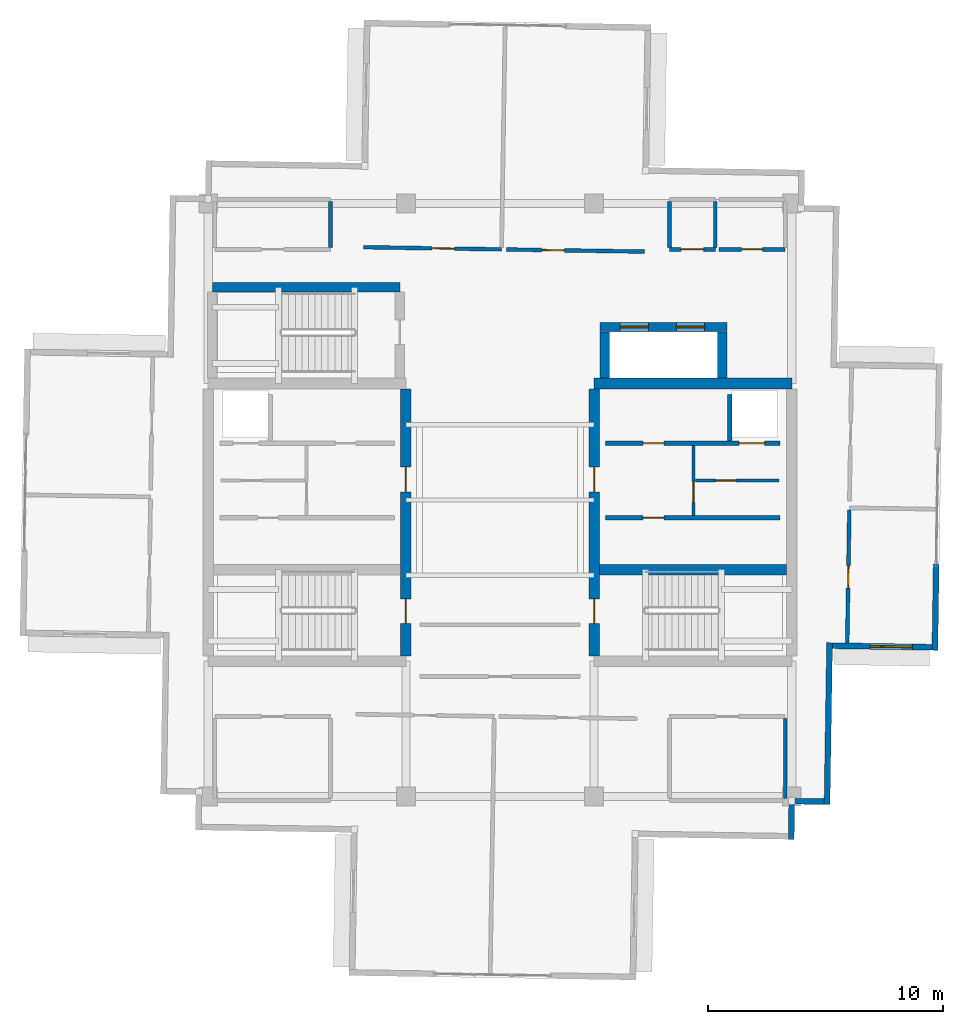
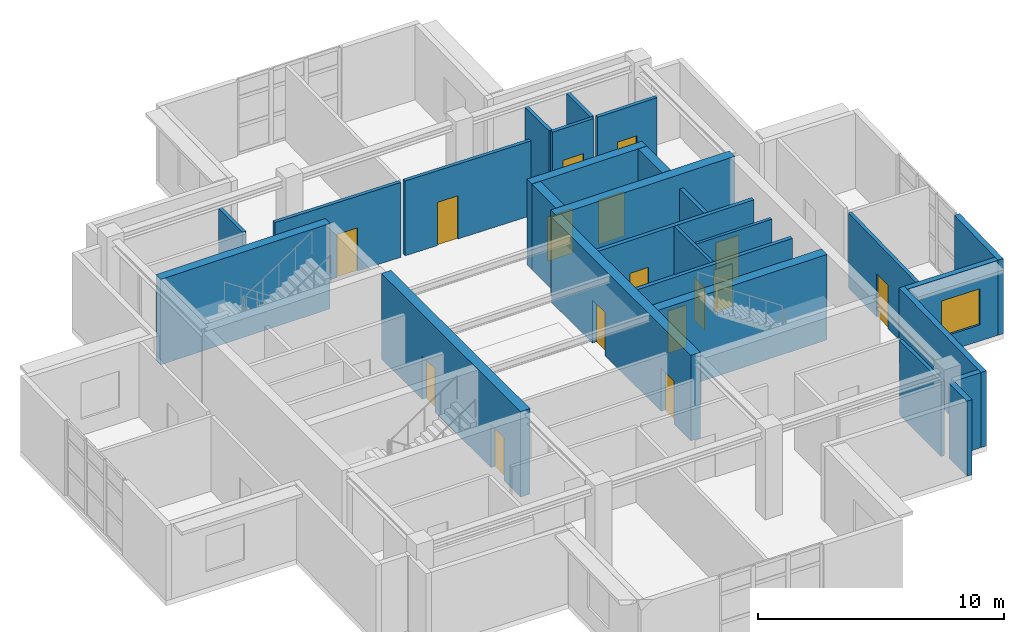
# One storey, part 11 of 15: 27 walls, 16 doors, 1 window, 17 openings.
"""IFC4 building model written with IfcOpenShell, lengths in metres."""

from ifc_helpers import new_model, si_unit, direction, frame, frame_2d, origin, place, context, subcontext, project, spatial, rectangle, extrude, material, layer, layer_set, type_object, element, fill, save


model = new_model("IFC4")

# Units and contexts
model_context = context("Model", 3, precision=1e-05, world=origin(), true_north=direction((0.0, 1.0)))
body_context = subcontext(model_context, "Body", "Model", "MODEL_VIEW")
ifc_project = project(units=[si_unit("LENGTHUNIT", "METRE"), si_unit("AREAUNIT", "SQUARE_METRE"), si_unit("VOLUMEUNIT", "CUBIC_METRE"), si_unit("PLANEANGLEUNIT", "RADIAN"), si_unit("MASSUNIT", "GRAM", prefix="KILO")], contexts=[model_context])

# Site, building, storey
site_placement = place(None, origin())
site = spatial("IfcSite", under=ifc_project, at=site_placement, CompositionType="ELEMENT")
building_placement = place(site_placement, origin())
building = spatial("IfcBuilding", under=site, at=building_placement, Name="Qingluan Cross Belvedere", CompositionType="ELEMENT")
storey_placement = place(building_placement, frame((0.0, 0.0, 312.89990234375)))
storey = spatial("IfcBuildingStorey", under=building, at=storey_placement, Name="L77", CompositionType="ELEMENT", Elevation=312.89990234375)

# Wall, openings, doors
ifc_material_1 = material(Name="Concrete C50", Category="concrete")
ifc_layer_1 = layer(ifc_material_1, 0.449951171875, Name="CoreShearWall_450")
ifc_layer_set_1 = layer_set([ifc_layer_1], Name="Concrete C50")
wall_type_1 = type_object("IfcWallType", Name="CoreShearWall_450", PredefinedType="SHEAR", material=ifc_layer_set_1)
wall_1_placement = place(storey_placement, frame((-4.0, -6.6201171875, 0.0), z_axis=(0.0, 0.0, 1.0), x_axis=(0.0, 1.0, 0.0)))
wall_1 = element("IfcWall", 1, at=wall_1_placement, inside=storey, type_object=wall_type_1, Name="Split core W shear wall L77-E", PredefinedType="SHEAR", context=body_context, shape_type="SweptSolid", body=[
    extrude(rectangle(XDim=11.340087890625, YDim=0.449951171875, at=frame_2d((5.669921875, 0.0))), origin(), (0.0, 0.0, 1.0), 4.25),
])
opening_1_placement = place(wall_1_placement, frame((1.3701171875, 0.0, 0.0)))
opening_1 = element("IfcOpeningElement", 2, at=opening_1_placement, cuts=wall_1, Name="Opening FD-B11", PredefinedType="OPENING", context=body_context, shape_type="SweptSolid", body=[
    extrude(rectangle(XDim=1.050048828125, YDim=2.14990234375, at=frame_2d((0.52490234375, 1.074951171875))), frame((0.0, 0.23486328125, 0.0), z_axis=(0.0, -1.0, 0.0), x_axis=(1.0, 0.0, 0.0)), (0.0, 0.0, 1.0), 0.469970703125),
])
opening_2_placement = place(wall_1_placement, frame((6.969970703125, 0.0, 0.0)))
opening_2 = element("IfcOpeningElement", 3, at=opening_2_placement, cuts=wall_1, Name="Opening FD-B11", PredefinedType="OPENING", context=body_context, shape_type="SweptSolid", body=[
    extrude(rectangle(XDim=1.050048828125, YDim=2.14990234375, at=frame_2d((0.52490234375, 1.074951171875))), frame((0.0, 0.23486328125, 0.0), z_axis=(0.0, -1.0, 0.0), x_axis=(1.0, 0.0, 0.0)), (0.0, 0.0, 1.0), 0.469970703125),
])
ifc_material_2 = material(Name="Steel Class B smoke-seal fire door", Category="steel")
door_type_1 = type_object("IfcDoorType", Name="StairLobbyFireDoor_FDB", OperationType="NOTDEFINED", PredefinedType="DOOR", material=ifc_material_2)
door_1_placement = place(opening_1_placement, origin())
door_1 = element("IfcDoor", 4, at=door_1_placement, inside=storey, type_object=door_type_1, Name="Smoke-proof stair ST1 fire door L77", OperationType="SINGLE_SWING_LEFT", OverallHeight=2.14990234375, OverallWidth=1.050048828125, PredefinedType="DOOR", context=body_context, shape_type="SweptSolid", body=[
    extrude(rectangle(XDim=1.050048828125, YDim=2.14990234375, at=frame_2d((0.52490234375, 1.074951171875))), frame((0.0, 0.02490234375, 0.0), z_axis=(0.0, -1.0, 0.0), x_axis=(1.0, 0.0, 0.0)), (0.0, 0.0, 1.0), 0.050048828125),
])
fill(opening_1, door_1)
door_2_placement = place(opening_2_placement, origin())
door_2 = element("IfcDoor", 5, at=door_2_placement, inside=storey, type_object=door_type_1, Name="Firefighting lobby West fire door L77", OperationType="SINGLE_SWING_LEFT", OverallHeight=2.14990234375, OverallWidth=1.050048828125, PredefinedType="DOOR", context=body_context, shape_type="SweptSolid", body=[
    extrude(rectangle(XDim=1.050048828125, YDim=2.14990234375, at=frame_2d((0.52490234375, 1.074951171875))), frame((0.0, 0.02490234375, 0.0), z_axis=(0.0, -1.0, 0.0), x_axis=(1.0, 0.0, 0.0)), (0.0, 0.0, 1.0), 0.050048828125),
])
fill(opening_2, door_2)

# Wall
wall_2_placement = place(storey_placement, frame((4.0, 4.949951171875, 0.0), z_axis=(0.0, 0.0, 1.0), x_axis=(1.0, 0.0, 0.0)))
element("IfcWall", 6, at=wall_2_placement, inside=storey, type_object=wall_type_1, Name="Split core E shear wall L77-N", PredefinedType="SHEAR", context=body_context, shape_type="SweptSolid", body=[
    extrude(rectangle(XDim=8.39990234375, YDim=0.449951171875, at=frame_2d((4.199951171875, 0.0))), origin(), (0.0, 0.0, 1.0), 4.25),
])

# Wall, openings, doors
wall_3_placement = place(storey_placement, frame((4.0, -6.6201171875, 0.0), z_axis=(0.0, 0.0, 1.0), x_axis=(0.0, 1.0, 0.0)))
wall_3 = element("IfcWall", 7, at=wall_3_placement, inside=storey, type_object=wall_type_1, Name="Split core E shear wall L77-W", PredefinedType="SHEAR", context=body_context, shape_type="SweptSolid", body=[
    extrude(rectangle(XDim=11.340087890625, YDim=0.449951171875, at=frame_2d((5.669921875, 0.0))), origin(), (0.0, 0.0, 1.0), 4.25),
])
opening_3_placement = place(wall_3_placement, frame((1.3701171875, 0.0, 0.0)))
opening_3 = element("IfcOpeningElement", 8, at=opening_3_placement, cuts=wall_3, Name="Opening FD-B11", PredefinedType="OPENING", context=body_context, shape_type="SweptSolid", body=[
    extrude(rectangle(XDim=1.050048828125, YDim=2.14990234375, at=frame_2d((0.52490234375, 1.074951171875))), frame((0.0, 0.23486328125, 0.0), z_axis=(0.0, -1.0, 0.0), x_axis=(1.0, 0.0, 0.0)), (0.0, 0.0, 1.0), 0.469970703125),
])
opening_4_placement = place(wall_3_placement, frame((6.969970703125, 0.0, 0.0)))
opening_4 = element("IfcOpeningElement", 9, at=opening_4_placement, cuts=wall_3, Name="Opening FD-B11", PredefinedType="OPENING", context=body_context, shape_type="SweptSolid", body=[
    extrude(rectangle(XDim=1.050048828125, YDim=2.14990234375, at=frame_2d((0.52490234375, 1.074951171875))), frame((0.0, 0.23486328125, 0.0), z_axis=(0.0, -1.0, 0.0), x_axis=(1.0, 0.0, 0.0)), (0.0, 0.0, 1.0), 0.469970703125),
])
door_3_placement = place(opening_3_placement, origin())
door_3 = element("IfcDoor", 10, at=door_3_placement, inside=storey, type_object=door_type_1, Name="Smoke-proof stair ST2 fire door L77", OperationType="SINGLE_SWING_RIGHT", OverallHeight=2.14990234375, OverallWidth=1.050048828125, PredefinedType="DOOR", context=body_context, shape_type="SweptSolid", body=[
    extrude(rectangle(XDim=1.050048828125, YDim=2.14990234375, at=frame_2d((0.52490234375, 1.074951171875))), frame((0.0, 0.02490234375, 0.0), z_axis=(0.0, -1.0, 0.0), x_axis=(1.0, 0.0, 0.0)), (0.0, 0.0, 1.0), 0.050048828125),
])
fill(opening_3, door_3)
door_4_placement = place(opening_4_placement, origin())
door_4 = element("IfcDoor", 11, at=door_4_placement, inside=storey, type_object=door_type_1, Name="Firefighting lobby East fire door L77", OperationType="SINGLE_SWING_RIGHT", OverallHeight=2.14990234375, OverallWidth=1.050048828125, PredefinedType="DOOR", context=body_context, shape_type="SweptSolid", body=[
    extrude(rectangle(XDim=1.050048828125, YDim=2.14990234375, at=frame_2d((0.52490234375, 1.074951171875))), frame((0.0, 0.02490234375, 0.0), z_axis=(0.0, -1.0, 0.0), x_axis=(1.0, 0.0, 0.0)), (0.0, 0.0, 1.0), 0.050048828125),
])
fill(opening_4, door_4)

# Walls
wall_4_placement = place(storey_placement, frame((4.22998046875, -2.9599609375, 0.0), z_axis=(0.0, 0.0, 1.0), x_axis=(1.0, 0.0, 0.0)))
element("IfcWall", 12, at=wall_4_placement, inside=storey, type_object=wall_type_1, Name="Split core E shear wall L77-M", PredefinedType="SHEAR", context=body_context, shape_type="SweptSolid", body=[
    extrude(rectangle(XDim=7.93994140625, YDim=0.449951171875, at=frame_2d((3.969970703125, 0.0))), origin(), (0.0, 0.0, 1.0), 4.25),
])
wall_5_placement = place(storey_placement, frame((-12.219970703125, 9.0400390625, 0.0), z_axis=(0.0, 0.0, 1.0), x_axis=(1.0, 0.0, 0.0)))
element("IfcWall", 13, at=wall_5_placement, inside=storey, type_object=wall_type_1, Name="Stair ST3 structural wall N L77", PredefinedType="SHEAR", context=body_context, shape_type="SweptSolid", body=[
    extrude(rectangle(XDim=7.9599609375, YDim=0.39990234375, at=frame_2d((3.97998046875, 0.0))), origin(), (0.0, 0.0, 1.0), 4.25),
])
wall_6_placement = place(storey_placement, frame((4.449951171875, 5.179931640625, 0.0), z_axis=(0.0, 0.0, 1.0), x_axis=(0.0, 1.0, 0.0)))
element("IfcWall", 14, at=wall_6_placement, inside=storey, type_object=wall_type_1, Name="Express shuttle core wall L77-W", PredefinedType="SHEAR", context=body_context, shape_type="SweptSolid", body=[
    extrude(rectangle(XDim=1.9599609375, YDim=0.39990234375, at=frame_2d((0.97998046875, 0.0))), origin(), (0.0, 0.0, 1.0), 4.25),
])

# Wall, openings, doors
wall_7_placement = place(storey_placement, frame((4.25, 7.35009765625, 0.0), z_axis=(0.0, 0.0, 1.0), x_axis=(1.0, 0.0, 0.0)))
wall_7 = element("IfcWall", 15, at=wall_7_placement, inside=storey, type_object=wall_type_1, Name="Express shuttle core wall L77-N", PredefinedType="SHEAR", context=body_context, shape_type="SweptSolid", body=[
    extrude(rectangle(XDim=5.39990234375, YDim=0.39990234375, at=frame_2d((2.699951171875, 0.0))), origin(), (0.0, 0.0, 1.0), 4.25),
])
opening_5_placement = place(wall_7_placement, frame((0.85009765625, 0.0, 0.0)))
opening_5 = element("IfcOpeningElement", 16, at=opening_5_placement, cuts=wall_7, Name="Opening LD-12", PredefinedType="OPENING", context=body_context, shape_type="SweptSolid", body=[
    extrude(rectangle(XDim=1.199951171875, YDim=2.199951171875, at=frame_2d((0.60009765625, 1.10009765625))), frame((0.0, 0.2099609375, 0.0), z_axis=(0.0, -1.0, 0.0), x_axis=(1.0, 0.0, 0.0)), (0.0, 0.0, 1.0), 0.419921875),
])
opening_6_placement = place(wall_7_placement, frame((3.25, 0.0, 0.0)))
opening_6 = element("IfcOpeningElement", 17, at=opening_6_placement, cuts=wall_7, Name="Opening LD-12", PredefinedType="OPENING", context=body_context, shape_type="SweptSolid", body=[
    extrude(rectangle(XDim=1.199951171875, YDim=2.199951171875, at=frame_2d((0.60009765625, 1.10009765625))), frame((0.0, 0.2099609375, 0.0), z_axis=(0.0, -1.0, 0.0), x_axis=(1.0, 0.0, 0.0)), (0.0, 0.0, 1.0), 0.419921875),
])
ifc_material_3 = material(Name="Bronze-anodised stainless steel lift landing door", Category="steel")
door_type_2 = type_object("IfcDoorType", Name="ExpressLiftSlidingDoor_1200", OperationType="DOUBLE_DOOR_SLIDING", PredefinedType="DOOR", material=ifc_material_3)
door_5_placement = place(opening_5_placement, origin())
door_5 = element("IfcDoor", 18, at=door_5_placement, inside=storey, type_object=door_type_2, Name="Express shuttle landing sliding door LPX1 L77", OperationType="DOUBLE_DOOR_SLIDING", OverallHeight=2.199951171875, OverallWidth=1.199951171875, PredefinedType="DOOR", context=body_context, shape_type="SweptSolid", body=[
    extrude(rectangle(XDim=1.199951171875, YDim=2.199951171875, at=frame_2d((0.60009765625, 1.10009765625))), frame((0.0, 0.02490234375, 0.0), z_axis=(0.0, -1.0, 0.0), x_axis=(1.0, 0.0, 0.0)), (0.0, 0.0, 1.0), 0.050048828125),
])
fill(opening_5, door_5)
door_6_placement = place(opening_6_placement, origin())
door_6 = element("IfcDoor", 19, at=door_6_placement, inside=storey, type_object=door_type_2, Name="Express shuttle landing sliding door LPX2 L77", OperationType="DOUBLE_DOOR_SLIDING", OverallHeight=2.199951171875, OverallWidth=1.199951171875, PredefinedType="DOOR", context=body_context, shape_type="SweptSolid", body=[
    extrude(rectangle(XDim=1.199951171875, YDim=2.199951171875, at=frame_2d((0.60009765625, 1.10009765625))), frame((0.0, 0.02490234375, 0.0), z_axis=(0.0, -1.0, 0.0), x_axis=(1.0, 0.0, 0.0)), (0.0, 0.0, 1.0), 0.050048828125),
])
fill(opening_6, door_6)

# Wall
wall_8_placement = place(storey_placement, frame((9.449951171875, 5.179931640625, 0.0), z_axis=(0.0, 0.0, 1.0), x_axis=(0.0, 1.0, 0.0)))
element("IfcWall", 20, at=wall_8_placement, inside=storey, type_object=wall_type_1, Name="Express shuttle core wall L77-E", PredefinedType="SHEAR", context=body_context, shape_type="SweptSolid", body=[
    extrude(rectangle(XDim=1.9599609375, YDim=0.39990234375, at=frame_2d((0.97998046875, 0.0))), origin(), (0.0, 0.0, 1.0), 4.25),
])

# Wall, opening, door
ifc_material_4 = material(Name="Gypsum plasterboard on steel stud acoustic partition", Category="steel")
ifc_layer_2 = layer(ifc_material_4, 0.159912109375, Name="CorridorPartition_160")
ifc_layer_set_2 = layer_set([ifc_layer_2], Name="Gypsum plasterboard on steel stud acoustic partition")
wall_type_2 = type_object("IfcWallType", Name="CorridorPartition_160", PredefinedType="PARTITIONING", material=ifc_layer_set_2)
wall_9_placement = place(storey_placement, frame((8.298095703125, 0.830078125, 0.0), z_axis=(0.0, 0.0, 1.0), x_axis=(1.0, 0.0, 0.0)))
wall_9 = element("IfcWall", 21, at=wall_9_placement, inside=storey, type_object=wall_type_2, Name="Partition L77:e", PredefinedType="PARTITIONING", context=body_context, shape_type="SweptSolid", body=[
    extrude(rectangle(XDim=3.552001953125, YDim=0.139892578125, at=frame_2d((1.77587890625, 0.0))), origin(), (0.0, 0.0, 1.0), 3.72021484375),
])
opening_7_placement = place(wall_9_placement, frame((0.85009765625, 0.0, 0.0)))
opening_7 = element("IfcOpeningElement", 22, at=opening_7_placement, cuts=wall_9, Name="Opening FD-B10", PredefinedType="OPENING", context=body_context, shape_type="SweptSolid", body=[
    extrude(rectangle(XDim=0.8798828125, YDim=2.10009765625, at=frame_2d((0.43994140625, 1.050048828125))), frame((0.0, 0.079833984375, 0.0), z_axis=(0.0, -1.0, 0.0), x_axis=(1.0, 0.0, 0.0)), (0.0, 0.0, 1.0), 0.159912109375),
])
ifc_material_5 = material(Name="Steel Class B service fire door", Category="steel")
door_type_3 = type_object("IfcDoorType", Name="RiserServiceFireDoor_FDB", OperationType="NOTDEFINED", PredefinedType="DOOR", material=ifc_material_5)
door_7_placement = place(opening_7_placement, origin())
door_7 = element("IfcDoor", 23, at=door_7_placement, inside=storey, type_object=door_type_3, Name="Service closet inner door L77", OperationType="SINGLE_SWING_LEFT", OverallHeight=2.10009765625, OverallWidth=0.8798828125, PredefinedType="DOOR", context=body_context, shape_type="SweptSolid", body=[
    extrude(rectangle(XDim=0.8798828125, YDim=2.10009765625, at=frame_2d((0.43994140625, 1.050048828125))), frame((0.0, 0.02490234375, 0.0), z_axis=(0.0, -1.0, 0.0), x_axis=(1.0, 0.0, 0.0)), (0.0, 0.0, 1.0), 0.050048828125),
])
fill(opening_7, door_7)

wall_10_placement = place(storey_placement, frame((-5.802001953125, 10.742431640625, 0.0), z_axis=(0.0, 0.0, 1.0), x_axis=(0.999877067261, -0.015679616254, 0.0)))
wall_10 = element("IfcWall", 24, at=wall_10_placement, inside=storey, type_object=wall_type_2, Name="Partition L77:obs_n1:S", PredefinedType="PARTITIONING", context=body_context, shape_type="SweptSolid", body=[
    extrude(rectangle(XDim=5.8701171875, YDim=0.159912109375, at=frame_2d((2.93505859375, 0.0))), origin(), (0.0, 0.0, 1.0), 3.72021484375),
])
opening_8_placement = place(wall_10_placement, frame((2.905029296875, 0.0, 0.0)))
opening_8 = element("IfcOpeningElement", 25, at=opening_8_placement, cuts=wall_10, Name="Opening GD-10", PredefinedType="OPENING", context=body_context, shape_type="SweptSolid", body=[
    extrude(rectangle(XDim=0.9599609375, YDim=2.14990234375, at=frame_2d((0.47998046875, 1.074951171875))), frame((0.0, 0.08984375, 0.0), z_axis=(0.0, -1.0, 0.0), x_axis=(1.0, 0.0, 0.0)), (0.0, 0.0, 1.0), 0.179931640625),
])
ifc_material_6 = material(Name="Timber oak fire-rated acoustic guestroom door", Category="wood")
door_type_4 = type_object("IfcDoorType", Name="GuestEntryDoor_FD60", OperationType="NOTDEFINED", PredefinedType="DOOR", material=ifc_material_6)
door_8_placement = place(opening_8_placement, origin())
door_8 = element("IfcDoor", 26, at=door_8_placement, inside=storey, type_object=door_type_4, Name="North panorama observation hall W L77 door", OperationType="SINGLE_SWING_RIGHT", OverallHeight=2.14990234375, OverallWidth=0.9599609375, PredefinedType="DOOR", context=body_context, shape_type="SweptSolid", body=[
    extrude(rectangle(XDim=0.9599609375, YDim=2.14990234375, at=frame_2d((0.47998046875, 1.074951171875))), frame((0.0, 0.02490234375, 0.0), z_axis=(0.0, -1.0, 0.0), x_axis=(1.0, 0.0, 0.0)), (0.0, 0.0, 1.0), 0.050048828125),
])
fill(opening_8, door_8)

wall_11_placement = place(storey_placement, frame((0.267333984375, 10.647216796875, 0.0), z_axis=(0.0, 0.0, 1.0), x_axis=(0.999876404074, -0.01572185028, 0.0)))
wall_11 = element("IfcWall", 27, at=wall_11_placement, inside=storey, type_object=wall_type_2, Name="Partition L77:obs_n2:S", PredefinedType="PARTITIONING", context=body_context, shape_type="SweptSolid", body=[
    extrude(rectangle(XDim=5.869873046875, YDim=0.159912109375, at=frame_2d((2.93505859375, 0.0))), origin(), (0.0, 0.0, 1.0), 3.72021484375),
])
opening_9_placement = place(wall_11_placement, frame((1.5048828125, 0.0, 0.0)))
opening_9 = element("IfcOpeningElement", 28, at=opening_9_placement, cuts=wall_11, Name="Opening GD-10", PredefinedType="OPENING", context=body_context, shape_type="SweptSolid", body=[
    extrude(rectangle(XDim=0.9599609375, YDim=2.14990234375, at=frame_2d((0.47998046875, 1.074951171875))), frame((0.0, 0.08984375, 0.0), z_axis=(0.0, -1.0, 0.0), x_axis=(1.0, 0.0, 0.0)), (0.0, 0.0, 1.0), 0.179931640625),
])
door_9_placement = place(opening_9_placement, origin())
door_9 = element("IfcDoor", 29, at=door_9_placement, inside=storey, type_object=door_type_4, Name="North panorama observation hall E L77 door", OperationType="SINGLE_SWING_LEFT", OverallHeight=2.14990234375, OverallWidth=0.9599609375, PredefinedType="DOOR", context=body_context, shape_type="SweptSolid", body=[
    extrude(rectangle(XDim=0.9599609375, YDim=2.14990234375, at=frame_2d((0.47998046875, 1.074951171875))), frame((0.0, 0.02490234375, 0.0), z_axis=(0.0, -1.0, 0.0), x_axis=(1.0, 0.0, 0.0)), (0.0, 0.0, 1.0), 0.050048828125),
])
fill(opening_9, door_9)

wall_12_placement = place(storey_placement, frame((14.756591796875, -6.069580078125, 0.0), z_axis=(0.0, 0.0, 1.0), x_axis=(0.01567977253, 0.99987706481, 0.0)))
wall_12 = element("IfcWall", 30, at=wall_12_placement, inside=storey, type_object=wall_type_2, Name="Partition L77:obs_e1:W", PredefinedType="PARTITIONING", context=body_context, shape_type="SweptSolid", body=[
    extrude(rectangle(XDim=5.652099609375, YDim=0.159912109375, at=frame_2d((2.826171875, 0.0))), origin(), (0.0, 0.0, 1.0), 3.72021484375),
])
opening_10_placement = place(wall_12_placement, frame((2.322021484375, 0.0, 0.0)))
opening_10 = element("IfcOpeningElement", 31, at=opening_10_placement, cuts=wall_12, Name="Opening GD-10", PredefinedType="OPENING", context=body_context, shape_type="SweptSolid", body=[
    extrude(rectangle(XDim=0.9599609375, YDim=2.14990234375, at=frame_2d((0.47998046875, 1.074951171875))), frame((0.0, 0.08984375, 0.0), z_axis=(0.0, -1.0, 0.0), x_axis=(1.0, 0.0, 0.0)), (0.0, 0.0, 1.0), 0.179931640625),
])
door_10_placement = place(opening_10_placement, origin())
door_10 = element("IfcDoor", 32, at=door_10_placement, inside=storey, type_object=door_type_4, Name="Belvedere sky bistro S L77 door", OperationType="SINGLE_SWING_RIGHT", OverallHeight=2.14990234375, OverallWidth=0.9599609375, PredefinedType="DOOR", context=body_context, shape_type="SweptSolid", body=[
    extrude(rectangle(XDim=0.9599609375, YDim=2.14990234375, at=frame_2d((0.47998046875, 1.074951171875))), frame((0.0, 0.02490234375, 0.0), z_axis=(0.0, -1.0, 0.0), x_axis=(1.0, 0.0, 0.0)), (0.0, 0.0, 1.0), 0.050048828125),
])
fill(opening_10, door_10)

wall_13_placement = place(storey_placement, frame((7.199951171875, 10.64990234375, 0.0), z_axis=(0.0, 0.0, 1.0), x_axis=(1.0, 0.0, 0.0)))
wall_13 = element("IfcWall", 33, at=wall_13_placement, inside=storey, type_object=wall_type_2, Name="Partition L77:crown_wc:S", PredefinedType="PARTITIONING", context=body_context, shape_type="SweptSolid", body=[
    extrude(rectangle(XDim=1.949951171875, YDim=0.159912109375, at=frame_2d((0.97509765625, 0.0))), origin(), (0.0, 0.0, 1.0), 3.72021484375),
])
opening_11_placement = place(wall_13_placement, frame((0.4951171875, 0.0, 0.0)))
opening_11 = element("IfcOpeningElement", 34, at=opening_11_placement, cuts=wall_13, Name="Opening GD-10", PredefinedType="OPENING", context=body_context, shape_type="SweptSolid", body=[
    extrude(rectangle(XDim=0.9599609375, YDim=2.14990234375, at=frame_2d((0.47998046875, 1.074951171875))), frame((0.0, 0.08984375, 0.0), z_axis=(0.0, -1.0, 0.0), x_axis=(1.0, 0.0, 0.0)), (0.0, 0.0, 1.0), 0.179931640625),
])
door_11_placement = place(opening_11_placement, origin())
door_11 = element("IfcDoor", 35, at=door_11_placement, inside=storey, type_object=door_type_4, Name="Observation washrooms L77 door", OperationType="SINGLE_SWING_RIGHT", OverallHeight=2.14990234375, OverallWidth=0.9599609375, PredefinedType="DOOR", context=body_context, shape_type="SweptSolid", body=[
    extrude(rectangle(XDim=0.9599609375, YDim=2.14990234375, at=frame_2d((0.47998046875, 1.074951171875))), frame((0.0, 0.02490234375, 0.0), z_axis=(0.0, -1.0, 0.0), x_axis=(1.0, 0.0, 0.0)), (0.0, 0.0, 1.0), 0.050048828125),
])
fill(opening_11, door_11)

# Walls
for number, where, z_axis, x_axis, name in (
    (36, (7.199951171875, 10.735107421875, 0.0), (0.0, 0.0, 1.0), (0.0, 1.0, 0.0), "Partition L77:crown_wc:W"),
    (37, (9.14990234375, 10.735107421875, 0.0), (0.0, 0.0, 1.0), (0.0, 1.0, 0.0), "Partition L77:crown_wc:E"),
):
    element("IfcWall", number, at=place(storey_placement, frame(where, z_axis=z_axis, x_axis=x_axis)), inside=storey, type_object=wall_type_2, Name=name, PredefinedType="PARTITIONING", context=body_context, shape_type="SweptSolid", body=[
        extrude(rectangle(XDim=1.949951171875, YDim=0.159912109375, at=frame_2d((0.97509765625, 0.0))), origin(), (0.0, 0.0, 1.0), 3.72021484375),
    ])

# Wall, opening, door
wall_14_placement = place(storey_placement, frame((9.31005859375, 10.64990234375, 0.0), z_axis=(0.0, 0.0, 1.0), x_axis=(1.0, 0.0, 0.0)))
wall_14 = element("IfcWall", 38, at=wall_14_placement, inside=storey, type_object=wall_type_2, Name="Partition L77:crown_acc:S", PredefinedType="PARTITIONING", context=body_context, shape_type="SweptSolid", body=[
    extrude(rectangle(XDim=2.81005859375, YDim=0.159912109375, at=frame_2d((1.405029296875, 0.0))), origin(), (0.0, 0.0, 1.0), 3.72021484375),
])
opening_12_placement = place(wall_14_placement, frame((0.955078125, 0.0, 0.0)))
opening_12 = element("IfcOpeningElement", 39, at=opening_12_placement, cuts=wall_14, Name="Opening BD-90", PredefinedType="OPENING", context=body_context, shape_type="SweptSolid", body=[
    extrude(rectangle(XDim=0.89990234375, YDim=2.14990234375, at=frame_2d((0.449951171875, 1.074951171875))), frame((0.0, 0.08984375, 0.0), z_axis=(0.0, -1.0, 0.0), x_axis=(1.0, 0.0, 0.0)), (0.0, 0.0, 1.0), 0.179931640625),
])
ifc_material_7 = material(Name="Moisture-sealed timber washroom door", Category="wood")
door_type_5 = type_object("IfcDoorType", Name="AccessibleWCDoor_900", OperationType="NOTDEFINED", PredefinedType="DOOR", material=ifc_material_7)
door_12_placement = place(opening_12_placement, origin())
door_12 = element("IfcDoor", 40, at=door_12_placement, inside=storey, type_object=door_type_5, Name="Accessible toilet L77 door", OperationType="SINGLE_SWING_LEFT", OverallHeight=2.14990234375, OverallWidth=0.89990234375, PredefinedType="DOOR", context=body_context, shape_type="SweptSolid", body=[
    extrude(rectangle(XDim=0.89990234375, YDim=2.14990234375, at=frame_2d((0.449951171875, 1.074951171875))), frame((0.0, 0.02490234375, 0.0), z_axis=(0.0, -1.0, 0.0), x_axis=(1.0, 0.0, 0.0)), (0.0, 0.0, 1.0), 0.050048828125),
])
fill(opening_12, door_12)

# Walls
wall_15_placement = place(storey_placement, frame((-7.199951171875, 10.735107421875, 0.0), z_axis=(0.0, 0.0, 1.0), x_axis=(0.0, 1.0, 0.0)))
element("IfcWall", 41, at=wall_15_placement, inside=storey, type_object=wall_type_2, Name="Partition L77:crown_nw:E", PredefinedType="PARTITIONING", context=body_context, shape_type="SweptSolid", body=[
    extrude(rectangle(XDim=1.949951171875, YDim=0.159912109375, at=frame_2d((0.97509765625, 0.0))), origin(), (0.0, 0.0, 1.0), 3.72021484375),
])
wall_16_placement = place(storey_placement, frame((12.1201171875, -12.68505859375, 0.0), z_axis=(0.0, 0.0, 1.0), x_axis=(0.0, 1.0, 0.0)))
element("IfcWall", 42, at=wall_16_placement, inside=storey, type_object=wall_type_2, Name="Partition L77:crown_se:E", PredefinedType="PARTITIONING", context=body_context, shape_type="SweptSolid", body=[
    extrude(rectangle(XDim=3.400146484375, YDim=0.159912109375, at=frame_2d((1.7001953125, 0.0))), origin(), (0.0, 0.0, 1.0), 3.72021484375),
])

# Wall, opening, window
ifc_material_8 = material(Name="Precast concrete C45", Category="concrete")
ifc_layer_3 = layer(ifc_material_8, 0.25, Name="PrecastCrownWall_250")
ifc_layer_set_3 = layer_set([ifc_layer_3], Name="Precast concrete C45")
wall_type_3 = type_object("IfcWallType", Name="PrecastCrownWall_250", PredefinedType="STANDARD", material=ifc_layer_set_3)
wall_17_placement = place(storey_placement, frame((14.12939453125, -6.192626953125, 0.0), z_axis=(0.0, 0.0, 1.0), x_axis=(0.999876765821, -0.015698827078, 0.0)))
wall_17 = element("IfcWall", 43, at=wall_17_placement, inside=storey, type_object=wall_type_3, Name="Facade wall L77-EA", PredefinedType="STANDARD", context=body_context, shape_type="SweptSolid", body=[
    extrude(rectangle(XDim=4.22998046875, YDim=0.25, at=frame_2d((2.114990234375, 0.0))), origin(), (0.0, 0.0, 1.0), 3.72998046875),
])
opening_13_placement = place(wall_17_placement, frame((1.60009765625, 0.0, 0.800048828125)))
opening_13 = element("IfcOpeningElement", 44, at=opening_13_placement, cuts=wall_17, Name="Opening W-05", PredefinedType="OPENING", context=body_context, shape_type="SweptSolid", body=[
    extrude(rectangle(XDim=1.800048828125, YDim=1.800048828125, at=frame_2d((0.89990234375, 0.89990234375))), frame((0.0, 0.135009765625, 0.0), z_axis=(0.0, -1.0, 0.0), x_axis=(1.0, 0.0, 0.0)), (0.0, 0.0, 1.0), 0.27001953125),
])
ifc_material_9 = material(Name="Thermally broken triple Low-E glass in aluminium frame", Category="aluminium")
window_type = type_object("IfcWindowType", Name="CrownBelvedereWin_1800x1800", PartitioningType="SINGLE_PANEL", PredefinedType="WINDOW", material=ifc_material_9)
window_placement = place(opening_13_placement, origin())
window = element("IfcWindow", 45, at=window_placement, inside=storey, type_object=window_type, Name="Ribbon window L77-EA-1", OverallHeight=1.800048828125, OverallWidth=1.800048828125, PartitioningType="SINGLE_PANEL", PredefinedType="WINDOW", context=body_context, shape_type="SweptSolid", body=[
    extrude(rectangle(XDim=1.800048828125, YDim=1.800048828125, at=frame_2d((0.89990234375, 0.89990234375))), frame((0.0, 0.030029296875, 0.0), z_axis=(0.0, -1.0, 0.0), x_axis=(1.0, 0.0, 0.0)), (0.0, 0.0, 1.0), 0.06005859375),
])
fill(opening_13, window)

# Walls
wall_18_placement = place(storey_placement, frame((18.48193359375, -6.385986328125, 0.0), z_axis=(0.0, 0.0, 1.0), x_axis=(0.015688794617, 0.999876923288, 0.0)))
element("IfcWall", 46, at=wall_18_placement, inside=storey, type_object=wall_type_3, Name="Terrace portal jamb wall L77-E1", PredefinedType="STANDARD", context=body_context, shape_type="SweptSolid", body=[
    extrude(rectangle(XDim=3.656982421875, YDim=0.25, at=frame_2d((1.82861328125, 0.0))), origin(), (0.0, 0.0, 1.0), 3.72998046875),
])
wall_19_placement = place(storey_placement, frame((14.006591796875, -6.06591796875, 0.0), z_axis=(0.0, 0.0, 1.0), x_axis=(-0.01572065784, -0.999876422823, 0.0)))
element("IfcWall", 47, at=wall_19_placement, inside=storey, type_object=wall_type_3, Name="Corner wall L77-SE1", PredefinedType="STANDARD", context=body_context, shape_type="SweptSolid", body=[
    extrude(rectangle(XDim=6.879638671875, YDim=0.25, at=frame_2d((3.43994140625, 0.0))), origin(), (0.0, 0.0, 1.0), 3.72998046875),
])
wall_20_placement = place(storey_placement, frame((13.775390625, -12.818115234375, 0.0), z_axis=(0.0, 0.0, 1.0), x_axis=(-0.999874882342, 0.0158183331, 0.0)))
element("IfcWall", 48, at=wall_20_placement, inside=storey, type_object=wall_type_3, Name="Corner wall L77-SE2", PredefinedType="STANDARD", context=body_context, shape_type="SweptSolid", body=[
    extrude(rectangle(XDim=1.250244140625, YDim=0.25, at=frame_2d((0.625, 0.0))), origin(), (0.0, 0.0, 1.0), 3.72998046875),
])
wall_21_placement = place(storey_placement, frame((12.398681640625, -12.92138671875, 0.0), z_axis=(0.0, 0.0, 1.0), x_axis=(-0.015788362288, -0.99987535604, 0.0)))
element("IfcWall", 49, at=wall_21_placement, inside=storey, type_object=wall_type_3, Name="Corner wall L77-SE3", PredefinedType="STANDARD", context=body_context, shape_type="SweptSolid", body=[
    extrude(rectangle(XDim=1.5, YDim=0.25, at=frame_2d((0.75, 0.0))), origin(), (0.0, 0.0, 1.0), 3.72998046875),
])

# Wall, openings, doors
ifc_material_10 = material(Name="Concrete C40", Category="concrete")
ifc_layer_4 = layer(ifc_material_10, 0.219970703125, Name="ShaftEnclosureWall_250")
ifc_layer_set_4 = layer_set([ifc_layer_4], Name="Concrete C40")
wall_type_4 = type_object("IfcWallType", Name="ShaftEnclosureWall_250", PredefinedType="SOLIDWALL", material=ifc_layer_set_4)
wall_22_placement = place(storey_placement, frame((4.47998046875, 2.409912109375, 0.0), z_axis=(0.0, 0.0, 1.0), x_axis=(1.0, 0.0, 0.0)))
wall_22 = element("IfcWall", 50, at=wall_22_placement, inside=storey, type_object=wall_type_4, Name="Core-E north hoistway wall L77", PredefinedType="SOLIDWALL", context=body_context, shape_type="SweptSolid", body=[
    extrude(rectangle(XDim=7.419921875, YDim=0.179931640625, at=frame_2d((3.7099609375, 0.0))), origin(), (0.0, 0.0, 1.0), 3.72021484375),
])
opening_14_placement = place(wall_22_placement, frame((5.669921875, 0.0, 0.0)))
opening_14 = element("IfcOpeningElement", 51, at=opening_14_placement, cuts=wall_22, Name="Opening LD-11", PredefinedType="OPENING", context=body_context, shape_type="SweptSolid", body=[
    extrude(rectangle(XDim=1.10009765625, YDim=2.14990234375, at=frame_2d((0.550048828125, 1.074951171875))), frame((0.0, 0.099853515625, 0.0), z_axis=(0.0, -1.0, 0.0), x_axis=(1.0, 0.0, 0.0)), (0.0, 0.0, 1.0), 0.199951171875),
])
opening_15_placement = place(wall_22_placement, frame((1.60009765625, 0.0, 0.0)))
opening_15 = element("IfcOpeningElement", 52, at=opening_15_placement, cuts=wall_22, Name="Opening FD-B10", PredefinedType="OPENING", context=body_context, shape_type="SweptSolid", body=[
    extrude(rectangle(XDim=0.8798828125, YDim=2.10009765625, at=frame_2d((0.43994140625, 1.050048828125))), frame((0.0, 0.099853515625, 0.0), z_axis=(0.0, -1.0, 0.0), x_axis=(1.0, 0.0, 0.0)), (0.0, 0.0, 1.0), 0.199951171875),
])
ifc_material_11 = material(Name="Brushed stainless steel centre-opening lift landing door", Category="steel")
door_type_6 = type_object("IfcDoorType", Name="LiftLandingSlidingDoor_1100", OperationType="DOUBLE_DOOR_SLIDING", PredefinedType="DOOR", material=ifc_material_11)
door_13_placement = place(opening_14_placement, origin())
door_13 = element("IfcDoor", 53, at=door_13_placement, inside=storey, type_object=door_type_6, Name="Lift landing sliding door FL2 L77", OperationType="DOUBLE_DOOR_SLIDING", OverallHeight=2.14990234375, OverallWidth=1.10009765625, PredefinedType="DOOR", context=body_context, shape_type="SweptSolid", body=[
    extrude(rectangle(XDim=1.10009765625, YDim=2.14990234375, at=frame_2d((0.550048828125, 1.074951171875))), frame((0.0, 0.02490234375, 0.0), z_axis=(0.0, -1.0, 0.0), x_axis=(1.0, 0.0, 0.0)), (0.0, 0.0, 1.0), 0.050048828125),
])
fill(opening_14, door_13)
door_14_placement = place(opening_15_placement, origin())
door_14 = element("IfcDoor", 54, at=door_14_placement, inside=storey, type_object=door_type_3, Name="Pantry room door E L77", OperationType="SINGLE_SWING_LEFT", OverallHeight=2.10009765625, OverallWidth=0.8798828125, PredefinedType="DOOR", context=body_context, shape_type="SweptSolid", body=[
    extrude(rectangle(XDim=0.8798828125, YDim=2.10009765625, at=frame_2d((0.43994140625, 1.050048828125))), frame((0.0, 0.02490234375, 0.0), z_axis=(0.0, -1.0, 0.0), x_axis=(1.0, 0.0, 0.0)), (0.0, 0.0, 1.0), 0.050048828125),
])
fill(opening_15, door_14)

# Wall, opening, door
wall_23_placement = place(storey_placement, frame((4.47998046875, -0.75, 0.0), z_axis=(0.0, 0.0, 1.0), x_axis=(1.0, 0.0, 0.0)))
wall_23 = element("IfcWall", 55, at=wall_23_placement, inside=storey, type_object=wall_type_4, Name="Core-E mid hoistway wall L77", PredefinedType="SOLIDWALL", context=body_context, shape_type="SweptSolid", body=[
    extrude(rectangle(XDim=7.419921875, YDim=0.179931640625, at=frame_2d((3.7099609375, 0.0))), origin(), (0.0, 0.0, 1.0), 3.72021484375),
])
opening_16_placement = place(wall_23_placement, frame((1.60009765625, 0.0, 0.0)))
opening_16 = element("IfcOpeningElement", 56, at=opening_16_placement, cuts=wall_23, Name="Opening FD-B10", PredefinedType="OPENING", context=body_context, shape_type="SweptSolid", body=[
    extrude(rectangle(XDim=0.8798828125, YDim=2.10009765625, at=frame_2d((0.43994140625, 1.050048828125))), frame((0.0, 0.099853515625, 0.0), z_axis=(0.0, -1.0, 0.0), x_axis=(1.0, 0.0, 0.0)), (0.0, 0.0, 1.0), 0.199951171875),
])
door_15_placement = place(opening_16_placement, origin())
door_15 = element("IfcDoor", 57, at=door_15_placement, inside=storey, type_object=door_type_3, Name="Upper-zone linen store door L77", OperationType="SINGLE_SWING_LEFT", OverallHeight=2.10009765625, OverallWidth=0.8798828125, PredefinedType="DOOR", context=body_context, shape_type="SweptSolid", body=[
    extrude(rectangle(XDim=0.8798828125, YDim=2.10009765625, at=frame_2d((0.43994140625, 1.050048828125))), frame((0.0, 0.02490234375, 0.0), z_axis=(0.0, -1.0, 0.0), x_axis=(1.0, 0.0, 0.0)), (0.0, 0.0, 1.0), 0.050048828125),
])
fill(opening_16, door_15)

# Wall
wall_24_placement = place(storey_placement, frame((9.760009765625, 2.5, 0.0), z_axis=(0.0, 0.0, 1.0), x_axis=(0.0, 1.0, 0.0)))
element("IfcWall", 58, at=wall_24_placement, inside=storey, type_object=wall_type_4, Name="Hoistway enclosure divider FL2W L77", PredefinedType="SOLIDWALL", context=body_context, shape_type="SweptSolid", body=[
    extrude(rectangle(XDim=1.989990234375, YDim=0.179931640625, at=frame_2d((0.9951171875, 0.0))), origin(), (0.0, 0.0, 1.0), 3.72021484375),
])

# Wall, opening, door
wall_25_placement = place(storey_placement, frame((8.219970703125, -0.64990234375, 0.0), z_axis=(0.0, 0.0, 1.0), x_axis=(0.0, 1.0, 0.0)))
wall_25 = element("IfcWall", 59, at=wall_25_placement, inside=storey, type_object=wall_type_4, Name="Core-E service corridor wall L77", PredefinedType="SOLIDWALL", context=body_context, shape_type="SweptSolid", body=[
    extrude(rectangle(XDim=2.9599609375, YDim=0.139892578125, at=frame_2d((1.47998046875, 0.0))), origin(), (0.0, 0.0, 1.0), 3.72021484375),
])
opening_17_placement = place(wall_25_placement, frame((0.550048828125, 0.0, 0.0)))
opening_17 = element("IfcOpeningElement", 60, at=opening_17_placement, cuts=wall_25, Name="Opening FD-B10", PredefinedType="OPENING", context=body_context, shape_type="SweptSolid", body=[
    extrude(rectangle(XDim=0.8798828125, YDim=2.10009765625, at=frame_2d((0.43994140625, 1.050048828125))), frame((0.0, 0.079833984375, 0.0), z_axis=(0.0, -1.0, 0.0), x_axis=(1.0, 0.0, 0.0)), (0.0, 0.0, 1.0), 0.159912109375),
])
door_16_placement = place(opening_17_placement, origin())
door_16 = element("IfcDoor", 61, at=door_16_placement, inside=storey, type_object=door_type_3, Name="Core-E service room door L77", OperationType="SINGLE_SWING_LEFT", OverallHeight=2.10009765625, OverallWidth=0.8798828125, PredefinedType="DOOR", context=body_context, shape_type="SweptSolid", body=[
    extrude(rectangle(XDim=0.8798828125, YDim=2.10009765625, at=frame_2d((0.43994140625, 1.050048828125))), frame((0.0, 0.02490234375, 0.0), z_axis=(0.0, -1.0, 0.0), x_axis=(1.0, 0.0, 0.0)), (0.0, 0.0, 1.0), 0.050048828125),
])
fill(opening_17, door_16)

save(model, "model.ifc")
